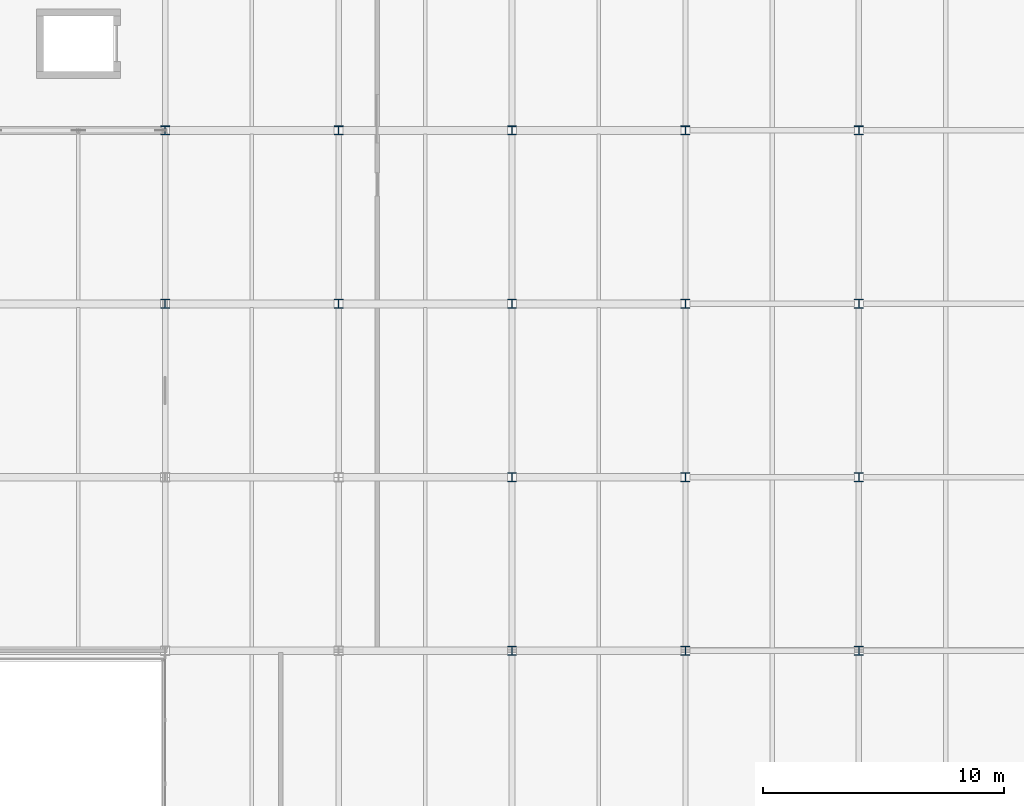
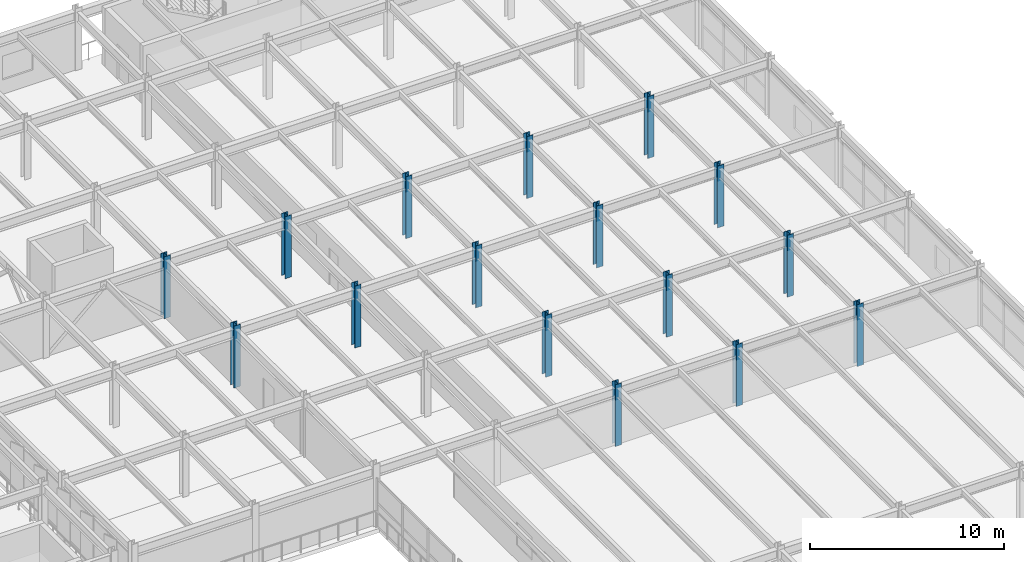
# One storey, part 15 of 93: 16 columns.
"""IFC4 building model written with IfcOpenShell, lengths in metres."""

from ifc_helpers import new_model, si_unit, direction, frame, origin, origin_2d, place, context, subcontext, project, spatial, i_section, extrude, material, material_profile, profile_set, type_object, element, save


model = new_model("IFC4")

# Units and contexts
model_context = context("Model", 3, precision=1e-05, world=origin(), true_north=direction((0.0, 1.0)))
body_context = subcontext(model_context, "Body", "Model", "MODEL_VIEW")
ifc_project = project(units=[si_unit("LENGTHUNIT", "METRE"), si_unit("AREAUNIT", "SQUARE_METRE"), si_unit("VOLUMEUNIT", "CUBIC_METRE"), si_unit("PLANEANGLEUNIT", "RADIAN"), si_unit("MASSUNIT", "GRAM", prefix="KILO")], contexts=[model_context])

# Site, building, storey
site_placement = place(None, origin())
site = spatial("IfcSite", under=ifc_project, at=site_placement, CompositionType="ELEMENT")
building_placement = place(site_placement, origin())
building = spatial("IfcBuilding", under=site, at=building_placement, Name="Vaelcorin Mobility Hub", CompositionType="ELEMENT")
storey_placement = place(building_placement, frame((0.0, 0.0, 5.39990234375)))
storey = spatial("IfcBuildingStorey", under=building, at=storey_placement, Name="L01", CompositionType="ELEMENT", Elevation=5.39990234375)

# Columns
ifc_material = material(Name="Steel ASTM A992 Grade 50", Category="steel")
ifc_material_profile = material_profile(ifc_material, i_section(OverallWidth=0.373046875, OverallDepth=0.373046875, WebThickness=0.016357421875, FlangeThickness=0.026123046875, FilletRadius=0.014892578125, at=origin_2d()), Name="W14X132")
ifc_profile_set = profile_set([ifc_material_profile], Name="Steel ASTM A992 Grade 50")
column_type = type_object("IfcColumnType", Name="COL-W14X132", PredefinedType="COLUMN", material=ifc_profile_set)
for number, where, z_axis, x_axis, name in (
    (1, (168.0, 91.199951171875, 0.0), (0.0, 0.0, 1.0), (1.0, 0.0, 0.0), "Column V5-X03Y11 L01"),
    (2, (168.0, 98.39990234375, 0.0), (0.0, 0.0, 1.0), (1.0, 0.0, 0.0), "Column V5-X03Y12 L01"),
    (3, (175.199951171875, 91.199951171875, 0.0), (0.0, 0.0, 1.0), (1.0, 0.0, 0.0), "Column V5-X04Y11 L01"),
    (4, (175.199951171875, 98.39990234375, 0.0), (0.0, 0.0, 1.0), (1.0, 0.0, 0.0), "Column V5-X04Y12 L01"),
    (5, (182.39990234375, 76.800048828125, 0.0), (0.0, 0.0, 1.0), (1.0, 0.0, 0.0), "Column V5-X05Y09 L01"),
    (6, (182.39990234375, 84.0, 0.0), (0.0, 0.0, 1.0), (1.0, 0.0, 0.0), "Column V5-X05Y10 L01"),
    (7, (182.39990234375, 91.199951171875, 0.0), (0.0, 0.0, 1.0), (1.0, 0.0, 0.0), "Column V5-X05Y11 L01"),
    (8, (182.39990234375, 98.39990234375, 0.0), (0.0, 0.0, 1.0), (1.0, 0.0, 0.0), "Column V5-X05Y12 L01"),
    (9, (189.60009765625, 76.800048828125, 0.0), (0.0, 0.0, 1.0), (1.0, 0.0, 0.0), "Column V5-X06Y09 L01"),
    (10, (189.60009765625, 84.0, 0.0), (0.0, 0.0, 1.0), (1.0, 0.0, 0.0), "Column V5-X06Y10 L01"),
    (11, (189.60009765625, 91.199951171875, 0.0), (0.0, 0.0, 1.0), (1.0, 0.0, 0.0), "Column V5-X06Y11 L01"),
    (12, (189.60009765625, 98.39990234375, 0.0), (0.0, 0.0, 1.0), (1.0, 0.0, 0.0), "Column V5-X06Y12 L01"),
    (13, (196.800048828125, 76.800048828125, 0.0), (0.0, 0.0, 1.0), (1.0, 0.0, 0.0), "Column V5-X07Y09 L01"),
    (14, (196.800048828125, 84.0, 0.0), (0.0, 0.0, 1.0), (1.0, 0.0, 0.0), "Column V5-X07Y10 L01"),
    (15, (196.800048828125, 91.199951171875, 0.0), (0.0, 0.0, 1.0), (1.0, 0.0, 0.0), "Column V5-X07Y11 L01"),
    (16, (196.800048828125, 98.39990234375, 0.0), (0.0, 0.0, 1.0), (1.0, 0.0, 0.0), "Column V5-X07Y12 L01"),
):
    element("IfcColumn", number, at=place(storey_placement, frame(where, z_axis=z_axis, x_axis=x_axis)), inside=storey, type_object=column_type, Name=name, PredefinedType="COLUMN", context=body_context, shape_type="SweptSolid", body=[
        extrude(i_section(OverallWidth=0.373046875, OverallDepth=0.373046875, WebThickness=0.016357421875, FlangeThickness=0.026123046875, FilletRadius=0.014892578125, at=origin_2d()), origin(), (0.0, 0.0, 1.0), 3.900146484375),
    ])

save(model, "model.ifc")
